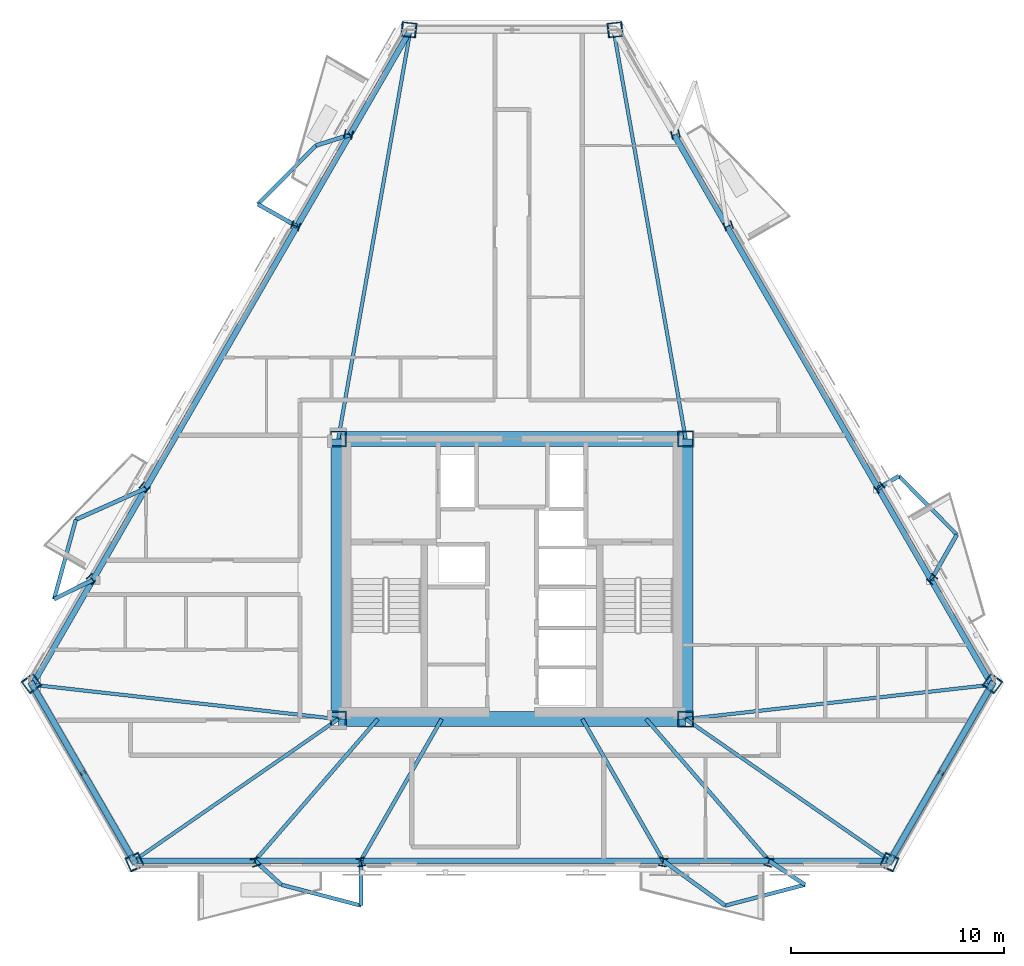
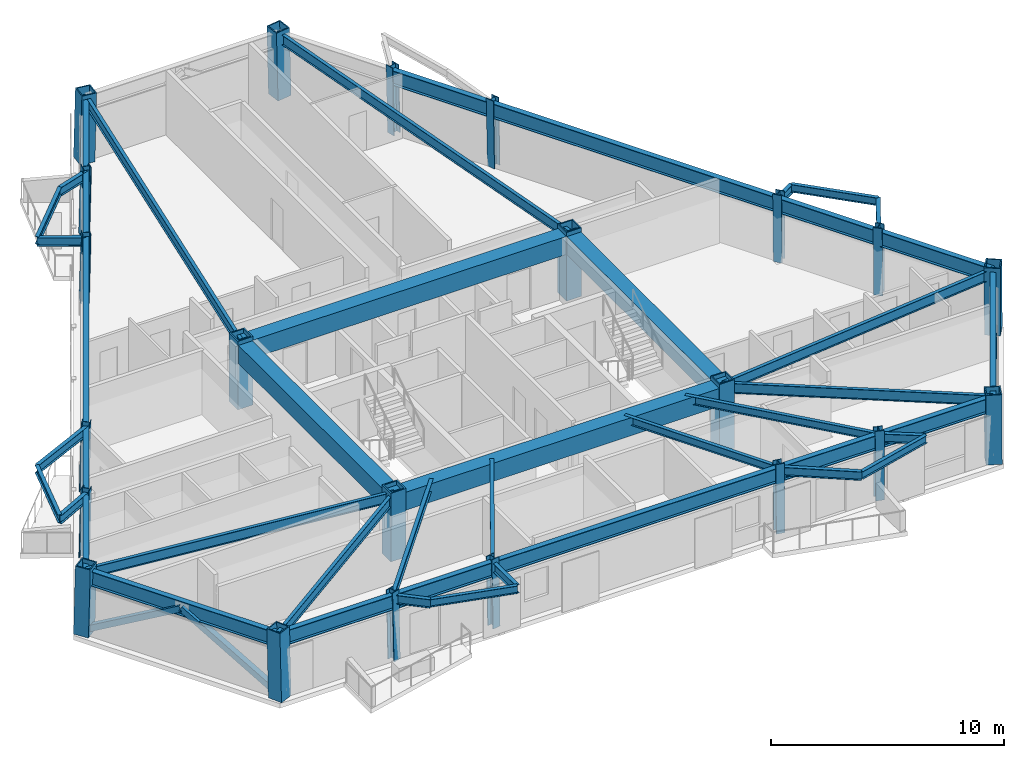
# One storey, part 1 of 9: 45 beams, 22 columns, 4 members.
"""IFC4 building model written with IfcOpenShell, lengths in metres."""

from ifc_helpers import new_model, si_unit, direction, frame, origin, origin_2d, place, context, subcontext, project, spatial, rectangle, hollow_rectangle, i_section, extrude, material, material_profile, profile_set, type_object, element, save


model = new_model("IFC4")

# Units and contexts
model_context = context("Model", 3, precision=1e-05, world=origin(), true_north=direction((0.0, 1.0)))
body_context = subcontext(model_context, "Body", "Model", "MODEL_VIEW")
ifc_project = project(units=[si_unit("LENGTHUNIT", "METRE"), si_unit("AREAUNIT", "SQUARE_METRE"), si_unit("VOLUMEUNIT", "CUBIC_METRE"), si_unit("PLANEANGLEUNIT", "RADIAN"), si_unit("MASSUNIT", "GRAM", prefix="KILO")], contexts=[model_context])

# Site, building, storey
site_placement = place(None, origin())
site = spatial("IfcSite", under=ifc_project, at=site_placement, CompositionType="ELEMENT")
building_placement = place(site_placement, origin())
building = spatial("IfcBuilding", under=site, at=building_placement, Name="Oramaril Tower", CompositionType="ELEMENT")
storey_placement = place(building_placement, frame((0.0, 0.0, 145.800048828125)))
storey = spatial("IfcBuildingStorey", under=building, at=storey_placement, Name="L38", CompositionType="ELEMENT", Elevation=145.800048828125)

# Columns
ifc_material_1 = material(Name="Steel ASTM A572 Gr 50", Category="steel")
ifc_material_profile_1 = material_profile(ifc_material_1, hollow_rectangle(XDim=0.75, YDim=0.75, WallThickness=0.06005859375, at=origin_2d()), Name="BOX750X750X60")
ifc_profile_set_1 = profile_set([ifc_material_profile_1], Name="Steel ASTM A572 Gr 50")
column_type_1 = type_object("IfcColumnType", Name="CT-CC4", PredefinedType="COLUMN", material=ifc_profile_set_1)
for number, where, z_axis, x_axis, name in (
    (1, (29.35009765625, 11.0, 0.0), (0.0, 0.0, 1.0), (1.0, 0.0, 0.0), "L38 Core Column CC-1"),
    (2, (45.64990234375, 11.0, 0.0), (0.0, 0.0, 1.0), (1.0, 0.0, 0.0), "L38 Core Column CC-2"),
    (3, (45.64990234375, 24.14990234375, 0.0), (0.0, 0.0, 1.0), (1.0, 0.0, 0.0), "L38 Core Column CC-3"),
    (4, (29.35009765625, 24.14990234375, 0.0), (0.0, 0.0, 1.0), (1.0, 0.0, 0.0), "L38 Core Column CC-4"),
):
    element("IfcColumn", number, at=place(storey_placement, frame(where, z_axis=z_axis, x_axis=x_axis)), inside=storey, type_object=column_type_1, Name=name, PredefinedType="COLUMN", context=body_context, shape_type="SweptSolid", body=[
        extrude(hollow_rectangle(XDim=0.75, YDim=0.75, WallThickness=0.06005859375, at=origin_2d()), origin(), (0.0, 0.0, 1.0), 3.599853515625),
    ])
ifc_material_2 = material(Name="Steel ASTM A572 Gr 50", Category="steel")
ifc_material_profile_2 = material_profile(ifc_material_2, hollow_rectangle(XDim=0.699951171875, YDim=0.699951171875, WallThickness=0.054931640625, at=origin_2d()), Name="BOX700X700X55")
ifc_profile_set_2 = profile_set([ifc_material_profile_2], Name="Steel ASTM A572 Gr 50")
column_type_2 = type_object("IfcColumnType", Name="CT-TC4", PredefinedType="COLUMN", material=ifc_profile_set_2)
for number, where, z_axis, x_axis, name in (
    (5, (14.947509765625, 12.680419921875, 0.00439453125), (0.014069056563, -0.019098574368, 0.999718613463), (0.805127847814, 0.593101297144, 0.0), "L38 Tube Column TC-01"),
    (6, (19.79833984375, 4.27880859375, 0.00439453125), (-0.009583274131, 0.021681308141, 0.999719001387), (-0.914637296992, -0.404275419673, 0.0), "L38 Tube Column TC-02"),
    (7, (55.20166015625, 4.27880859375, 0.00439453125), (0.009583274131, 0.021681308141, 0.999719001387), (-0.914637296992, 0.404275419673, 0.0), "L38 Tube Column TC-03"),
    (8, (60.052490234375, 12.680419921875, 0.00439453125), (-0.014069056563, -0.019098574368, 0.999718613463), (0.805127847814, -0.593101297144, 0.0), "L38 Tube Column TC-04"),
    (9, (42.3505859375, 43.3408203125, 0.00439453125), (-0.023516425185, -0.002650695324, 0.999719936563), (0.11200747743, -0.993707363865, 0.0), "L38 Tube Column TC-05"),
    (10, (32.6494140625, 43.3408203125, 0.00439453125), (0.023516425185, -0.002650695324, 0.999719936563), (0.11200747743, 0.993707363865, 0.0), "L38 Tube Column TC-06"),
):
    element("IfcColumn", number, at=place(storey_placement, frame(where, z_axis=z_axis, x_axis=x_axis)), inside=storey, type_object=column_type_2, Name=name, PredefinedType="COLUMN", context=body_context, shape_type="SweptSolid", body=[
        extrude(hollow_rectangle(XDim=0.699951171875, YDim=0.699951171875, WallThickness=0.054931640625, at=origin_2d()), origin(), (0.0, 0.0, 1.0), 3.592041015625),
    ])
ifc_material_3 = material(Name="Steel ASTM A572 Gr 50", Category="steel")
ifc_material_profile_3 = material_profile(ifc_material_3, i_section(OverallWidth=0.39892578125, OverallDepth=0.385986328125, WebThickness=0.02099609375, FlangeThickness=0.033203125, at=origin_2d()), Name="W14X176")
ifc_profile_set_3 = profile_set([ifc_material_profile_3], Name="Steel ASTM A572 Gr 50")
column_type_3 = type_object("IfcColumnType", Name="CT-TF4", PredefinedType="COLUMN", material=ifc_profile_set_3)
for number, where, z_axis, x_axis, name in (
    (11, (25.462890625, 4.27880859375, 0.00439453125), (-0.006524943119, 0.02168184224, 0.999743628554), (-0.957578072853, -0.288173965498, 0.0), "L38 Tube Column TC-07"),
    (12, (30.419189453125, 4.27880859375, 0.00439453125), (-0.003806270274, 0.021682146742, 0.999757669047), (-0.984938580211, -0.172904578344, 0.0), "L38 Tube Column TC-08"),
    (13, (44.580810546875, 4.27880859375, 0.00439453125), (0.003806270274, 0.021682146742, 0.999757669047), (-0.984938580211, 0.172904578344, 0.0), "L38 Tube Column TC-09"),
    (14, (49.537109375, 4.27880859375, 0.00439453125), (0.006524943119, 0.02168184224, 0.999743628554), (-0.957578072853, 0.288173965498, 0.0), "L38 Tube Column TC-10"),
    (15, (57.22021484375, 17.586181640625, 0.00439453125), (-0.015564689622, -0.0165162427, 0.999742443914), (0.727760224826, -0.685831652202, 0.0), "L38 Tube Column TC-11"),
    (16, (54.741943359375, 21.87841796875, 0.00439453125), (-0.016924294512, -0.014137563288, 0.999756819211), (0.641093446766, -0.767462828099, 0.0), "L38 Tube Column TC-12"),
    (17, (47.6611328125, 34.142578125, 0.00439453125), (-0.020662617698, -0.007544574225, 0.999758038542), (0.342983251922, -0.939341518778, 0.0), "L38 Tube Column TC-13"),
    (18, (45.18310546875, 38.43505859375, 0.00439453125), (-0.022089621745, -0.005233541152, 0.999742296123), (0.230540988759, -0.973062614893, 0.0), "L38 Tube Column TC-14"),
    (19, (29.81689453125, 38.43505859375, 0.00439453125), (0.022089621745, -0.005233541152, 0.999742296123), (0.230540988759, 0.973062614893, 0.0), "L38 Tube Column TC-15"),
    (20, (27.3388671875, 34.142578125, 0.00439453125), (0.020662617698, -0.007544574225, 0.999758038542), (0.342983251922, 0.939341518778, 0.0), "L38 Tube Column TC-16"),
    (21, (20.258056640625, 21.87841796875, 0.00439453125), (0.016924294512, -0.014137563288, 0.999756819211), (0.641093446766, 0.767462828099, 0.0), "L38 Tube Column TC-17"),
    (22, (17.77978515625, 17.586181640625, 0.00439453125), (0.015564689622, -0.0165162427, 0.999742443914), (0.727760224826, 0.685831652202, 0.0), "L38 Tube Column TC-18"),
):
    element("IfcColumn", number, at=place(storey_placement, frame(where, z_axis=z_axis, x_axis=x_axis)), inside=storey, type_object=column_type_3, Name=name, PredefinedType="COLUMN", context=body_context, shape_type="SweptSolid", body=[
        extrude(i_section(OverallWidth=0.39892578125, OverallDepth=0.385986328125, WebThickness=0.02099609375, FlangeThickness=0.033203125, at=origin_2d()), origin(), (0.0, 0.0, 1.0), 3.592041015625),
    ])

# Beams
ifc_material_4 = material(Name="Steel ASTM A572 Gr 50", Category="steel")
ifc_material_profile_4 = material_profile(ifc_material_4, i_section(OverallWidth=0.19091796875, OverallDepth=0.45703125, WebThickness=0.009033203125, FlangeThickness=0.014404296875, at=origin_2d()), Name="W18X50")
ifc_profile_set_4 = profile_set([ifc_material_profile_4], Name="Steel ASTM A572 Gr 50")
beam_type_1 = type_object("IfcBeamType", Name="BT-BB1", PredefinedType="BEAM", material=ifc_profile_set_4)
beam_1_placement = place(storey_placement, frame((25.439453125, 4.356689453125, 3.1513671875), z_axis=(0.738949437305, -0.673760884221, 0.0), x_axis=(0.673760884221, 0.738949437305, 0.0)))
element("IfcBeam", 23, at=beam_1_placement, inside=storey, type_object=beam_type_1, Name="L38 Balcony Column-Framed Cantilever 01.1", PredefinedType="BEAM", context=body_context, shape_type="SweptSolid", body=[
    extrude(i_section(OverallWidth=0.19091796875, OverallDepth=0.45703125, WebThickness=0.009033203125, FlangeThickness=0.014404296875, at=origin_2d()), origin(), (0.0, 0.0, 1.0), 1.674072265625),
])
beam_2_placement = place(storey_placement, frame((30.405517578125, 4.356689453125, 3.1513671875), z_axis=(0.007064915176, -0.999975043175, 0.0), x_axis=(0.999975043175, 0.007064915176, 0.0)))
element("IfcBeam", 24, at=beam_2_placement, inside=storey, type_object=beam_type_1, Name="L38 Balcony Column-Framed Cantilever 01.2", PredefinedType="BEAM", context=body_context, shape_type="SweptSolid", body=[
    extrude(i_section(OverallWidth=0.19091796875, OverallDepth=0.45703125, WebThickness=0.009033203125, FlangeThickness=0.014404296875, at=origin_2d()), origin(), (0.0, 0.0, 1.0), 2.10791015625),
])
beam_3_placement = place(storey_placement, frame((44.594482421875, 4.356689453125, 3.1513671875), z_axis=(0.809868661514, -0.586611243583, 0.0), x_axis=(0.586611243583, 0.809868661514, 0.0)))
element("IfcBeam", 25, at=beam_3_placement, inside=storey, type_object=beam_type_1, Name="L38 Balcony Column-Framed Cantilever 02.1", PredefinedType="BEAM", context=body_context, shape_type="SweptSolid", body=[
    extrude(i_section(OverallWidth=0.19091796875, OverallDepth=0.45703125, WebThickness=0.009033203125, FlangeThickness=0.014404296875, at=origin_2d()), origin(), (0.0, 0.0, 1.0), 3.59326171875),
])
beam_4_placement = place(storey_placement, frame((49.560546875, 4.356689453125, 3.1513671875), z_axis=(0.831457785332, -0.555587932924, 0.0), x_axis=(0.555587932924, 0.831457785332, 0.0)))
element("IfcBeam", 26, at=beam_4_placement, inside=storey, type_object=beam_type_1, Name="L38 Balcony Column-Framed Cantilever 02.2", PredefinedType="BEAM", context=body_context, shape_type="SweptSolid", body=[
    extrude(i_section(OverallWidth=0.19091796875, OverallDepth=0.45703125, WebThickness=0.009033203125, FlangeThickness=0.014404296875, at=origin_2d()), origin(), (0.0, 0.0, 1.0), 2.0302734375),
])
beam_5_placement = place(storey_placement, frame((57.164306640625, 17.52685546875, 3.1513671875), z_axis=(0.493856659012, 0.869543328621, 0.0), x_axis=(-0.869543328621, 0.493856659012, 0.0)))
element("IfcBeam", 27, at=beam_5_placement, inside=storey, type_object=beam_type_1, Name="L38 Balcony Column-Framed Cantilever 03.1", PredefinedType="BEAM", context=body_context, shape_type="SweptSolid", body=[
    extrude(i_section(OverallWidth=0.19091796875, OverallDepth=0.45703125, WebThickness=0.009033203125, FlangeThickness=0.014404296875, at=origin_2d()), origin(), (0.0, 0.0, 1.0), 2.444091796875),
])
beam_6_placement = place(storey_placement, frame((54.68115234375, 21.82763671875, 3.1513671875), z_axis=(0.859358551766, 0.511373522494, 0.0), x_axis=(-0.511373522494, 0.859358551766, 0.0)))
element("IfcBeam", 28, at=beam_6_placement, inside=storey, type_object=beam_type_1, Name="L38 Balcony Column-Framed Cantilever 03.2", PredefinedType="BEAM", context=body_context, shape_type="SweptSolid", body=[
    extrude(i_section(OverallWidth=0.19091796875, OverallDepth=0.45703125, WebThickness=0.009033203125, FlangeThickness=0.014404296875, at=origin_2d()), origin(), (0.0, 0.0, 1.0), 1.128173828125),
])
beam_7_placement = place(storey_placement, frame((29.896240234375, 38.416259765625, 3.1513671875), z_axis=(-0.953023409065, -0.30289665197, 0.0), x_axis=(0.30289665197, -0.953023409065, 0.0)))
element("IfcBeam", 29, at=beam_7_placement, inside=storey, type_object=beam_type_1, Name="L38 Balcony Column-Framed Cantilever 05.1", PredefinedType="BEAM", context=body_context, shape_type="SweptSolid", body=[
    extrude(i_section(OverallWidth=0.19091796875, OverallDepth=0.45703125, WebThickness=0.009033203125, FlangeThickness=0.014404296875, at=origin_2d()), origin(), (0.0, 0.0, 1.0), 1.674072265625),
])
beam_8_placement = place(storey_placement, frame((27.4130859375, 34.115478515625, 3.1513671875), z_axis=(-0.869501774382, 0.493929817227, 0.0), x_axis=(-0.493929817227, -0.869501774382, 0.0)))
element("IfcBeam", 30, at=beam_8_placement, inside=storey, type_object=beam_type_1, Name="L38 Balcony Column-Framed Cantilever 05.2", PredefinedType="BEAM", context=body_context, shape_type="SweptSolid", body=[
    extrude(i_section(OverallWidth=0.19091796875, OverallDepth=0.45703125, WebThickness=0.009033203125, FlangeThickness=0.014404296875, at=origin_2d()), origin(), (0.0, 0.0, 1.0), 2.108154296875),
])
beam_9_placement = place(storey_placement, frame((20.31884765625, 21.82763671875, 3.1513671875), z_axis=(-0.912963480745, -0.408041275886, 0.0), x_axis=(0.408041275886, -0.912963480745, 0.0)))
element("IfcBeam", 31, at=beam_9_placement, inside=storey, type_object=beam_type_1, Name="L38 Balcony Column-Framed Cantilever 06.1", PredefinedType="BEAM", context=body_context, shape_type="SweptSolid", body=[
    extrude(i_section(OverallWidth=0.19091796875, OverallDepth=0.45703125, WebThickness=0.009033203125, FlangeThickness=0.014404296875, at=origin_2d()), origin(), (0.0, 0.0, 1.0), 3.593505859375),
])
beam_10_placement = place(storey_placement, frame((17.835693359375, 17.52685546875, 3.1513671875), z_axis=(-0.896866949753, -0.442300434593, 0.0), x_axis=(0.442300434593, -0.896866949753, 0.0)))
element("IfcBeam", 32, at=beam_10_placement, inside=storey, type_object=beam_type_1, Name="L38 Balcony Column-Framed Cantilever 06.2", PredefinedType="BEAM", context=body_context, shape_type="SweptSolid", body=[
    extrude(i_section(OverallWidth=0.19091796875, OverallDepth=0.45703125, WebThickness=0.009033203125, FlangeThickness=0.014404296875, at=origin_2d()), origin(), (0.0, 0.0, 1.0), 2.0302734375),
])
ifc_material_5 = material(Name="Concrete C50/60", Category="concrete")
ifc_material_profile_5 = material_profile(ifc_material_5, rectangle(XDim=0.699951171875, YDim=0.949951171875, at=origin_2d()), Name="CB700X950")
ifc_profile_set_5 = profile_set([ifc_material_profile_5], Name="Concrete C50/60")
beam_type_2 = type_object("IfcBeamType", Name="BT-CB1", PredefinedType="BEAM", material=ifc_profile_set_5)
beam_11_placement = place(storey_placement, frame((29.35009765625, 11.0, 2.905029296875), z_axis=(1.0, 0.0, 0.0), x_axis=(0.0, 1.0, 0.0)))
element("IfcBeam", 33, at=beam_11_placement, inside=storey, type_object=beam_type_2, Name="L38 Core Header Beam CB-1", PredefinedType="BEAM", context=body_context, shape_type="SweptSolid", body=[
    extrude(rectangle(XDim=0.699951171875, YDim=0.949951171875, at=origin_2d()), origin(), (0.0, 0.0, 1.0), 16.2998046875),
])
beam_12_placement = place(storey_placement, frame((45.64990234375, 11.0, 2.905029296875), z_axis=(0.0, 1.0, 0.0), x_axis=(-1.0, 0.0, 0.0)))
element("IfcBeam", 34, at=beam_12_placement, inside=storey, type_object=beam_type_2, Name="L38 Core Header Beam CB-2", PredefinedType="BEAM", context=body_context, shape_type="SweptSolid", body=[
    extrude(rectangle(XDim=0.699951171875, YDim=0.949951171875, at=origin_2d()), origin(), (0.0, 0.0, 1.0), 13.14990234375),
])
beam_13_placement = place(storey_placement, frame((45.64990234375, 24.14990234375, 2.905029296875), z_axis=(-1.0, 0.0, 0.0), x_axis=(0.0, -1.0, 0.0)))
element("IfcBeam", 35, at=beam_13_placement, inside=storey, type_object=beam_type_2, Name="L38 Core Header Beam CB-3", PredefinedType="BEAM", context=body_context, shape_type="SweptSolid", body=[
    extrude(rectangle(XDim=0.699951171875, YDim=0.949951171875, at=origin_2d()), origin(), (0.0, 0.0, 1.0), 16.2998046875),
])
beam_14_placement = place(storey_placement, frame((29.35009765625, 24.14990234375, 2.905029296875), z_axis=(0.0, -1.0, 0.0), x_axis=(1.0, 0.0, 0.0)))
element("IfcBeam", 36, at=beam_14_placement, inside=storey, type_object=beam_type_2, Name="L38 Core Header Beam CB-4", PredefinedType="BEAM", context=body_context, shape_type="SweptSolid", body=[
    extrude(rectangle(XDim=0.699951171875, YDim=0.949951171875, at=origin_2d()), origin(), (0.0, 0.0, 1.0), 13.14990234375),
])
ifc_material_6 = material(Name="Steel ASTM A572 Gr 50", Category="steel")
ifc_material_profile_6 = material_profile(ifc_material_6, i_section(OverallWidth=0.166015625, OverallDepth=0.528076171875, WebThickness=0.009765625, FlangeThickness=0.013671875, at=origin_2d()), Name="W21X50")
ifc_profile_set_6 = profile_set([ifc_material_profile_6], Name="Steel ASTM A572 Gr 50")
beam_type_3 = type_object("IfcBeamType", Name="BT-FB3", PredefinedType="BEAM", material=ifc_profile_set_6)
beam_15_placement = place(storey_placement, frame((29.35009765625, 11.0, 3.115966796875), z_axis=(-0.993752753973, 0.111604049973, 0.0), x_axis=(-0.111604049973, -0.993752753973, 0.0)))
element("IfcBeam", 37, at=beam_15_placement, inside=storey, type_object=beam_type_3, Name="L38 Radial Primary Beam RB-01", PredefinedType="BEAM", context=body_context, shape_type="SweptSolid", body=[
    extrude(i_section(OverallWidth=0.166015625, OverallDepth=0.528076171875, WebThickness=0.009765625, FlangeThickness=0.013671875, at=origin_2d()), origin(), (0.0, 0.0, 1.0), 14.4423828125),
])
for number, where, z_axis, x_axis, name in (
    (38, (29.35009765625, 11.0, 3.115966796875), (-0.821922318708, -0.569599597972, 0.0), (0.569599597972, -0.821922318708, 0.0), "L38 Radial Primary Beam RB-02"),
    (39, (45.64990234375, 11.0, 3.115966796875), (0.821922318708, -0.569599597972, 0.0), (0.569599597972, 0.821922318708, 0.0), "L38 Radial Primary Beam RB-03"),
):
    element("IfcBeam", number, at=place(storey_placement, frame(where, z_axis=z_axis, x_axis=x_axis)), inside=storey, type_object=beam_type_3, Name=name, PredefinedType="BEAM", context=body_context, shape_type="SweptSolid", body=[
        extrude(i_section(OverallWidth=0.166015625, OverallDepth=0.528076171875, WebThickness=0.009765625, FlangeThickness=0.013671875, at=origin_2d()), origin(), (0.0, 0.0, 1.0), 11.6630859375),
    ])
beam_16_placement = place(storey_placement, frame((45.64990234375, 11.0, 3.115966796875), z_axis=(0.993752753973, 0.111604049973, 0.0), x_axis=(-0.111604049973, 0.993752753973, 0.0)))
element("IfcBeam", 40, at=beam_16_placement, inside=storey, type_object=beam_type_3, Name="L38 Radial Primary Beam RB-04", PredefinedType="BEAM", context=body_context, shape_type="SweptSolid", body=[
    extrude(i_section(OverallWidth=0.166015625, OverallDepth=0.528076171875, WebThickness=0.009765625, FlangeThickness=0.013671875, at=origin_2d()), origin(), (0.0, 0.0, 1.0), 14.4423828125),
])
for number, where, z_axis, x_axis, name in (
    (41, (45.64990234375, 24.14990234375, 3.115966796875), (-0.173727414375, 0.984793778156, 0.0), (-0.984793778156, -0.173727414375, 0.0), "L38 Radial Primary Beam RB-05"),
    (42, (29.35009765625, 24.14990234375, 3.115966796875), (0.173727414375, 0.984793778156, 0.0), (-0.984793778156, 0.173727414375, 0.0), "L38 Radial Primary Beam RB-06"),
):
    element("IfcBeam", number, at=place(storey_placement, frame(where, z_axis=z_axis, x_axis=x_axis)), inside=storey, type_object=beam_type_3, Name=name, PredefinedType="BEAM", context=body_context, shape_type="SweptSolid", body=[
        extrude(i_section(OverallWidth=0.166015625, OverallDepth=0.528076171875, WebThickness=0.009765625, FlangeThickness=0.013671875, at=origin_2d()), origin(), (0.0, 0.0, 1.0), 19.4775390625),
    ])
ifc_material_7 = material(Name="Steel ASTM A572 Gr 50", Category="steel")
ifc_material_profile_7 = material_profile(ifc_material_7, i_section(OverallWidth=0.177978515625, OverallDepth=0.404052734375, WebThickness=0.007568359375, FlangeThickness=0.010986328125, at=origin_2d()), Name="W16X36")
ifc_profile_set_7 = profile_set([ifc_material_profile_7], Name="Steel ASTM A572 Gr 50")
beam_type_4 = type_object("IfcBeamType", Name="BT-SB1", PredefinedType="BEAM", material=ifc_profile_set_7)
beam_17_placement = place(storey_placement, frame((31.199951171875, 11.0, 3.177978515625), z_axis=(-0.655122901316, -0.755522325396, 0.0), x_axis=(0.755522325396, -0.655122901316, 0.0)))
element("IfcBeam", 43, at=beam_17_placement, inside=storey, type_object=beam_type_4, Name="L38 Secondary Floor Beam SB-01", PredefinedType="BEAM", context=body_context, shape_type="SweptSolid", body=[
    extrude(i_section(OverallWidth=0.177978515625, OverallDepth=0.404052734375, WebThickness=0.007568359375, FlangeThickness=0.010986328125, at=origin_2d()), origin(), (0.0, 0.0, 1.0), 8.79296875),
])
for number, where, z_axis, x_axis, name in (
    (44, (34.199951171875, 11.0, 3.177978515625), (-0.495967097984, -0.868341314068, 0.0), (0.868341314068, -0.495967097984, 0.0), "L38 Secondary Floor Beam SB-02"),
    (45, (40.800048828125, 11.0, 3.177978515625), (0.495967097984, -0.868341314068, 0.0), (0.868341314068, 0.495967097984, 0.0), "L38 Secondary Floor Beam SB-03"),
):
    element("IfcBeam", number, at=place(storey_placement, frame(where, z_axis=z_axis, x_axis=x_axis)), inside=storey, type_object=beam_type_4, Name=name, PredefinedType="BEAM", context=body_context, shape_type="SweptSolid", body=[
        extrude(i_section(OverallWidth=0.177978515625, OverallDepth=0.404052734375, WebThickness=0.007568359375, FlangeThickness=0.010986328125, at=origin_2d()), origin(), (0.0, 0.0, 1.0), 7.650634765625),
    ])
beam_18_placement = place(storey_placement, frame((43.800048828125, 11.0, 3.177978515625), z_axis=(0.655122901316, -0.755522325396, 0.0), x_axis=(0.755522325396, 0.655122901316, 0.0)))
element("IfcBeam", 46, at=beam_18_placement, inside=storey, type_object=beam_type_4, Name="L38 Secondary Floor Beam SB-04", PredefinedType="BEAM", context=body_context, shape_type="SweptSolid", body=[
    extrude(i_section(OverallWidth=0.177978515625, OverallDepth=0.404052734375, WebThickness=0.007568359375, FlangeThickness=0.010986328125, at=origin_2d()), origin(), (0.0, 0.0, 1.0), 8.79296875),
])
for number, where, z_axis, x_axis, name in (
    (47, (26.676513671875, 3.228759765625, 3.177978515625), (0.967407922874, -0.253223045479, 0.0), (0.253223045479, 0.967407922874, 0.0), "L38 Balcony Edge Tie Beam 01"),
    (48, (47.504638671875, 2.248779296875, 3.177978515625), (0.967407922874, 0.253223045479, 0.0), (-0.253223045479, 0.967407922874, 0.0), "L38 Balcony Edge Tie Beam 02"),
    (49, (58.371337890625, 19.652099609375, 3.177978515625), (-0.702994511648, 0.71119527318, 0.0), (-0.71119527318, -0.702994511648, 0.0), "L38 Balcony Edge Tie Beam 03"),
    (50, (28.30078125, 37.9091796875, 3.177978515625), (-0.702994511648, -0.71119527318, 0.0), (0.71119527318, -0.702994511648, 0.0), "L38 Balcony Edge Tie Beam 05"),
    (51, (17.0380859375, 20.361328125, 3.177978515625), (-0.264382243015, -0.964417974521, 0.0), (0.964417974521, -0.264382243015, 0.0), "L38 Balcony Edge Tie Beam 06"),
):
    element("IfcBeam", number, at=place(storey_placement, frame(where, z_axis=z_axis, x_axis=x_axis)), inside=storey, type_object=beam_type_4, Name=name, PredefinedType="BEAM", context=body_context, shape_type="SweptSolid", body=[
        extrude(i_section(OverallWidth=0.177978515625, OverallDepth=0.404052734375, WebThickness=0.007568359375, FlangeThickness=0.010986328125, at=origin_2d()), origin(), (0.0, 0.0, 1.0), 3.8701171875),
    ])
ifc_material_8 = material(Name="Steel ASTM A572 Gr 50", Category="steel")
ifc_material_profile_8 = material_profile(ifc_material_8, i_section(OverallWidth=0.26708984375, OverallDepth=0.77001953125, WebThickness=0.015625, FlangeThickness=0.025390625, at=origin_2d()), Name="W30X132")
ifc_profile_set_8 = profile_set([ifc_material_profile_8], Name="Steel ASTM A572 Gr 50")
beam_type_5 = type_object("IfcBeamType", Name="BT-SP3", PredefinedType="SPANDREL", material=ifc_profile_set_8)
beam_19_placement = place(storey_placement, frame((14.998046875, 12.61181640625, 2.994873046875), z_axis=(0.499981853705, -0.866035880299, 0.0), x_axis=(0.866035880299, 0.499981853705, 0.0)))
element("IfcBeam", 52, at=beam_19_placement, inside=storey, type_object=beam_type_5, Name="L38 Perimeter Spandrel 01", PredefinedType="SPANDREL", context=body_context, shape_type="SweptSolid", body=[
    extrude(i_section(OverallWidth=0.26708984375, OverallDepth=0.77001953125, WebThickness=0.015625, FlangeThickness=0.025390625, at=origin_2d()), origin(), (0.0, 0.0, 1.0), 9.531982421875),
])
beam_20_placement = place(storey_placement, frame((19.763916015625, 4.356689453125, 2.994873046875), z_axis=(1.0, 0.0, 0.0), x_axis=(0.0, 1.0, 0.0)))
element("IfcBeam", 53, at=beam_20_placement, inside=storey, type_object=beam_type_5, Name="L38 Perimeter Spandrel 02", PredefinedType="SPANDREL", context=body_context, shape_type="SweptSolid", body=[
    extrude(i_section(OverallWidth=0.26708984375, OverallDepth=0.77001953125, WebThickness=0.015625, FlangeThickness=0.025390625, at=origin_2d()), origin(), (0.0, 0.0, 1.0), 5.675537109375),
])
beam_21_placement = place(storey_placement, frame((25.439453125, 4.356689453125, 2.994873046875), z_axis=(1.0, 0.0, 0.0), x_axis=(0.0, 1.0, 0.0)))
element("IfcBeam", 54, at=beam_21_placement, inside=storey, type_object=beam_type_5, Name="L38 Perimeter Spandrel 03", PredefinedType="SPANDREL", context=body_context, shape_type="SweptSolid", body=[
    extrude(i_section(OverallWidth=0.26708984375, OverallDepth=0.77001953125, WebThickness=0.015625, FlangeThickness=0.025390625, at=origin_2d()), origin(), (0.0, 0.0, 1.0), 4.966064453125),
])
beam_22_placement = place(storey_placement, frame((30.405517578125, 4.356689453125, 2.994873046875), z_axis=(1.0, 0.0, 0.0), x_axis=(0.0, 1.0, 0.0)))
element("IfcBeam", 55, at=beam_22_placement, inside=storey, type_object=beam_type_5, Name="L38 Perimeter Spandrel 04", PredefinedType="SPANDREL", context=body_context, shape_type="SweptSolid", body=[
    extrude(i_section(OverallWidth=0.26708984375, OverallDepth=0.77001953125, WebThickness=0.015625, FlangeThickness=0.025390625, at=origin_2d()), origin(), (0.0, 0.0, 1.0), 14.18896484375),
])
beam_23_placement = place(storey_placement, frame((44.594482421875, 4.356689453125, 2.994873046875), z_axis=(1.0, 0.0, 0.0), x_axis=(0.0, 1.0, 0.0)))
element("IfcBeam", 56, at=beam_23_placement, inside=storey, type_object=beam_type_5, Name="L38 Perimeter Spandrel 05", PredefinedType="SPANDREL", context=body_context, shape_type="SweptSolid", body=[
    extrude(i_section(OverallWidth=0.26708984375, OverallDepth=0.77001953125, WebThickness=0.015625, FlangeThickness=0.025390625, at=origin_2d()), origin(), (0.0, 0.0, 1.0), 4.966064453125),
])
beam_24_placement = place(storey_placement, frame((49.560546875, 4.356689453125, 2.994873046875), z_axis=(1.0, 0.0, 0.0), x_axis=(0.0, 1.0, 0.0)))
element("IfcBeam", 57, at=beam_24_placement, inside=storey, type_object=beam_type_5, Name="L38 Perimeter Spandrel 06", PredefinedType="SPANDREL", context=body_context, shape_type="SweptSolid", body=[
    extrude(i_section(OverallWidth=0.26708984375, OverallDepth=0.77001953125, WebThickness=0.015625, FlangeThickness=0.025390625, at=origin_2d()), origin(), (0.0, 0.0, 1.0), 5.675537109375),
])
beam_25_placement = place(storey_placement, frame((55.236083984375, 4.356689453125, 2.994873046875), z_axis=(0.499981853705, 0.866035880299, 0.0), x_axis=(-0.866035880299, 0.499981853705, 0.0)))
element("IfcBeam", 58, at=beam_25_placement, inside=storey, type_object=beam_type_5, Name="L38 Perimeter Spandrel 07", PredefinedType="SPANDREL", context=body_context, shape_type="SweptSolid", body=[
    extrude(i_section(OverallWidth=0.26708984375, OverallDepth=0.77001953125, WebThickness=0.015625, FlangeThickness=0.025390625, at=origin_2d()), origin(), (0.0, 0.0, 1.0), 9.531982421875),
])
beam_26_placement = place(storey_placement, frame((60.001953125, 12.61181640625, 2.994873046875), z_axis=(-0.499993043422, 0.86602942013, 0.0), x_axis=(-0.86602942013, -0.499993043422, 0.0)))
element("IfcBeam", 59, at=beam_26_placement, inside=storey, type_object=beam_type_5, Name="L38 Perimeter Spandrel 08", PredefinedType="SPANDREL", context=body_context, shape_type="SweptSolid", body=[
    extrude(i_section(OverallWidth=0.26708984375, OverallDepth=0.77001953125, WebThickness=0.015625, FlangeThickness=0.025390625, at=origin_2d()), origin(), (0.0, 0.0, 1.0), 5.67529296875),
])
beam_27_placement = place(storey_placement, frame((57.164306640625, 17.52685546875, 2.994873046875), z_axis=(-0.500014661821, 0.866016938613, 0.0), x_axis=(-0.866016938613, -0.500014661821, 0.0)))
element("IfcBeam", 60, at=beam_27_placement, inside=storey, type_object=beam_type_5, Name="L38 Perimeter Spandrel 09", PredefinedType="SPANDREL", context=body_context, shape_type="SweptSolid", body=[
    extrude(i_section(OverallWidth=0.26708984375, OverallDepth=0.77001953125, WebThickness=0.015625, FlangeThickness=0.025390625, at=origin_2d()), origin(), (0.0, 0.0, 1.0), 4.966064453125),
])
beam_28_placement = place(storey_placement, frame((54.68115234375, 21.82763671875, 2.994873046875), z_axis=(-0.499992045344, 0.866029996359, 0.0), x_axis=(-0.866029996359, -0.499992045344, 0.0)))
element("IfcBeam", 61, at=beam_28_placement, inside=storey, type_object=beam_type_5, Name="L38 Perimeter Spandrel 10", PredefinedType="SPANDREL", context=body_context, shape_type="SweptSolid", body=[
    extrude(i_section(OverallWidth=0.26708984375, OverallDepth=0.77001953125, WebThickness=0.015625, FlangeThickness=0.025390625, at=origin_2d()), origin(), (0.0, 0.0, 1.0), 14.188720703125),
])
beam_29_placement = place(storey_placement, frame((47.5869140625, 34.115478515625, 2.994873046875), z_axis=(-0.500014661821, 0.866016938613, 0.0), x_axis=(-0.866016938613, -0.500014661821, 0.0)))
element("IfcBeam", 62, at=beam_29_placement, inside=storey, type_object=beam_type_5, Name="L38 Perimeter Spandrel 11", PredefinedType="SPANDREL", context=body_context, shape_type="SweptSolid", body=[
    extrude(i_section(OverallWidth=0.26708984375, OverallDepth=0.77001953125, WebThickness=0.015625, FlangeThickness=0.025390625, at=origin_2d()), origin(), (0.0, 0.0, 1.0), 4.966064453125),
])
beam_30_placement = place(storey_placement, frame((32.73388671875, 43.331298828125, 2.994873046875), z_axis=(-0.499993043422, -0.86602942013, 0.0), x_axis=(0.86602942013, -0.499993043422, 0.0)))
element("IfcBeam", 63, at=beam_30_placement, inside=storey, type_object=beam_type_5, Name="L38 Perimeter Spandrel 14", PredefinedType="SPANDREL", context=body_context, shape_type="SweptSolid", body=[
    extrude(i_section(OverallWidth=0.26708984375, OverallDepth=0.77001953125, WebThickness=0.015625, FlangeThickness=0.025390625, at=origin_2d()), origin(), (0.0, 0.0, 1.0), 5.67529296875),
])
beam_31_placement = place(storey_placement, frame((29.896240234375, 38.416259765625, 2.994873046875), z_axis=(-0.500014661821, -0.866016938613, 0.0), x_axis=(0.866016938613, -0.500014661821, 0.0)))
element("IfcBeam", 64, at=beam_31_placement, inside=storey, type_object=beam_type_5, Name="L38 Perimeter Spandrel 15", PredefinedType="SPANDREL", context=body_context, shape_type="SweptSolid", body=[
    extrude(i_section(OverallWidth=0.26708984375, OverallDepth=0.77001953125, WebThickness=0.015625, FlangeThickness=0.025390625, at=origin_2d()), origin(), (0.0, 0.0, 1.0), 4.966064453125),
])
beam_32_placement = place(storey_placement, frame((27.4130859375, 34.115478515625, 2.994873046875), z_axis=(-0.499992045344, -0.866029996359, 0.0), x_axis=(0.866029996359, -0.499992045344, 0.0)))
element("IfcBeam", 65, at=beam_32_placement, inside=storey, type_object=beam_type_5, Name="L38 Perimeter Spandrel 16", PredefinedType="SPANDREL", context=body_context, shape_type="SweptSolid", body=[
    extrude(i_section(OverallWidth=0.26708984375, OverallDepth=0.77001953125, WebThickness=0.015625, FlangeThickness=0.025390625, at=origin_2d()), origin(), (0.0, 0.0, 1.0), 14.188720703125),
])
beam_33_placement = place(storey_placement, frame((20.31884765625, 21.82763671875, 2.994873046875), z_axis=(-0.500014661821, -0.866016938613, 0.0), x_axis=(0.866016938613, -0.500014661821, 0.0)))
element("IfcBeam", 66, at=beam_33_placement, inside=storey, type_object=beam_type_5, Name="L38 Perimeter Spandrel 17", PredefinedType="SPANDREL", context=body_context, shape_type="SweptSolid", body=[
    extrude(i_section(OverallWidth=0.26708984375, OverallDepth=0.77001953125, WebThickness=0.015625, FlangeThickness=0.025390625, at=origin_2d()), origin(), (0.0, 0.0, 1.0), 4.966064453125),
])
beam_34_placement = place(storey_placement, frame((17.835693359375, 17.52685546875, 2.994873046875), z_axis=(-0.499993043422, -0.86602942013, 0.0), x_axis=(0.86602942013, -0.499993043422, 0.0)))
element("IfcBeam", 67, at=beam_34_placement, inside=storey, type_object=beam_type_5, Name="L38 Perimeter Spandrel 18", PredefinedType="SPANDREL", context=body_context, shape_type="SweptSolid", body=[
    extrude(i_section(OverallWidth=0.26708984375, OverallDepth=0.77001953125, WebThickness=0.015625, FlangeThickness=0.025390625, at=origin_2d()), origin(), (0.0, 0.0, 1.0), 5.67529296875),
])

# Members
ifc_material_9 = material(Name="Steel ASTM A572 Gr 50", Category="steel")
ifc_material_profile_9 = material_profile(ifc_material_9, hollow_rectangle(XDim=0.300048828125, YDim=0.300048828125, WallThickness=0.01611328125, at=origin_2d()), Name="HSS300X300X16")
ifc_profile_set_9 = profile_set([ifc_material_profile_9], Name="Steel ASTM A572 Gr 50")
member_type = type_object("IfcMemberType", Name="MT-KB2", PredefinedType="BRACE", material=ifc_profile_set_9)
for number, where, z_axis, x_axis, name in (
    (68, (14.947509765625, 12.680419921875, 0.179931640625), (0.432442228167, -0.749047052555, 0.501918551517), (0.866035561261, 0.499982406321, 0.0), "L38 Perimeter Chevron Brace KB-1A"),
    (69, (19.79833984375, 4.27880859375, 0.179931640625), (-0.432491719647, 0.749013842803, 0.501925468297), (-0.866001183661, -0.500041948138, 0.0), "L38 Perimeter Chevron Brace KB-1B"),
):
    element("IfcMember", number, at=place(storey_placement, frame(where, z_axis=z_axis, x_axis=x_axis)), inside=storey, type_object=member_type, Name=name, PredefinedType="BRACE", context=body_context, shape_type="SweptSolid", body=[
        extrude(hollow_rectangle(XDim=0.300048828125, YDim=0.300048828125, WallThickness=0.01611328125, at=origin_2d()), origin(), (0.0, 0.0, 1.0), 5.6083984375),
    ])
member_1_placement = place(storey_placement, frame((55.20166015625, 4.27880859375, 0.179931640625), z_axis=(0.432456329162, 0.74902794439, 0.501934917983), x_axis=(-0.866022978719, 0.500004200313, 0.0)))
element("IfcMember", 70, at=member_1_placement, inside=storey, type_object=member_type, Name="L38 Perimeter Chevron Brace KB-2A", PredefinedType="BRACE", context=body_context, shape_type="SweptSolid", body=[
    extrude(hollow_rectangle(XDim=0.300048828125, YDim=0.300048828125, WallThickness=0.01611328125, at=origin_2d()), origin(), (0.0, 0.0, 1.0), 5.608154296875),
])
member_2_placement = place(storey_placement, frame((60.052490234375, 12.680419921875, 0.179931640625), z_axis=(-0.432477618029, -0.749032951528, 0.501909102756), x_axis=(0.866013767787, -0.500020153598, 0.0)))
element("IfcMember", 71, at=member_2_placement, inside=storey, type_object=member_type, Name="L38 Perimeter Chevron Brace KB-2B", PredefinedType="BRACE", context=body_context, shape_type="SweptSolid", body=[
    extrude(hollow_rectangle(XDim=0.300048828125, YDim=0.300048828125, WallThickness=0.01611328125, at=origin_2d()), origin(), (0.0, 0.0, 1.0), 5.6083984375),
])

save(model, "model.ifc")
